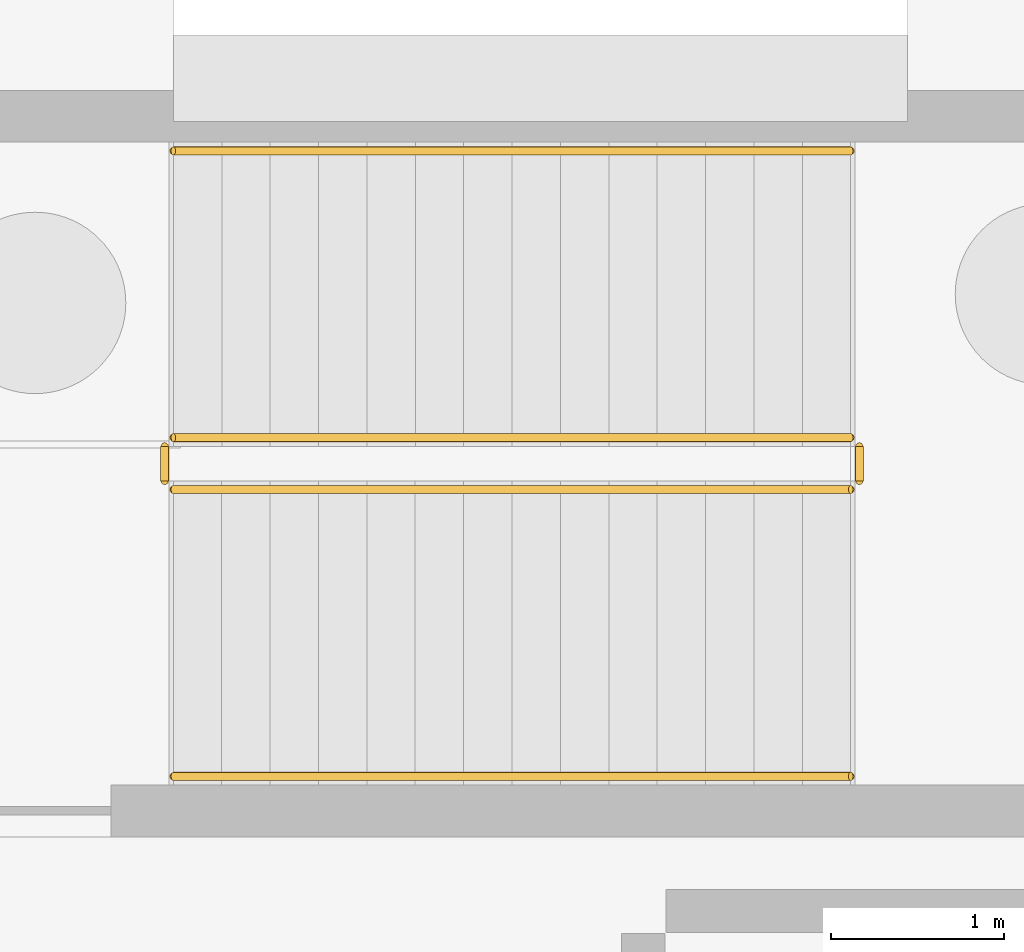
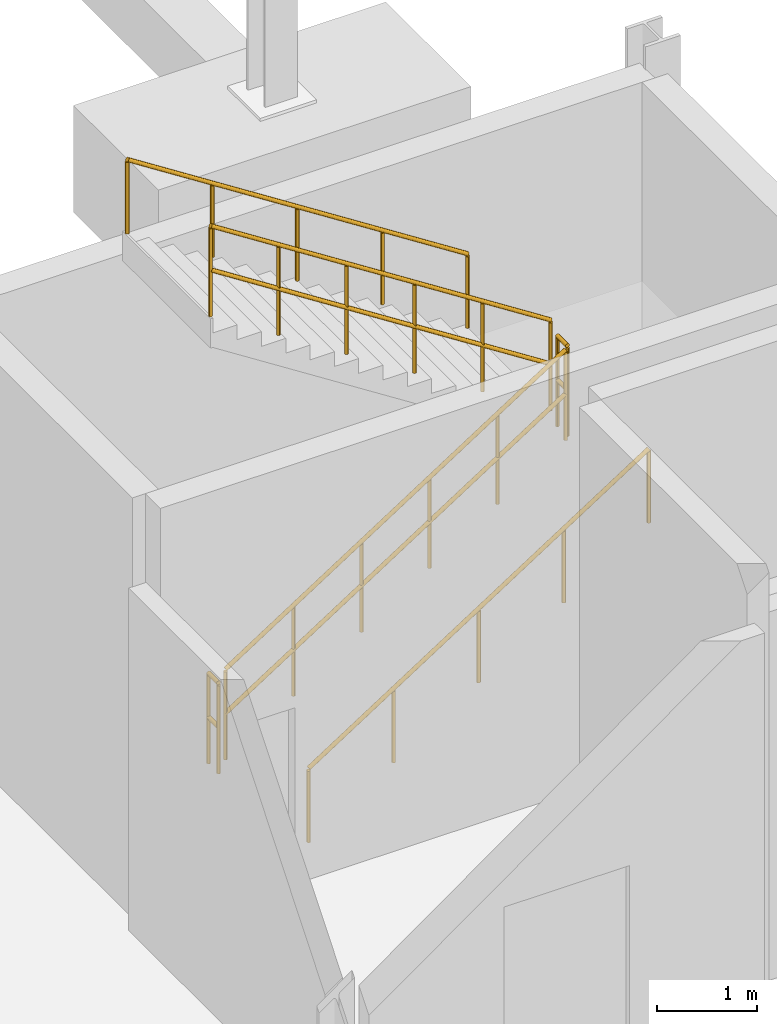
# One storey, part 54 of 61: 6 railings.
"""IFC4 building model written with IfcOpenShell, lengths in metres."""

from ifc_helpers import new_model, si_unit, direction, frame, origin, origin_2d, place, context, subcontext, project, spatial, circle, extrude, material, type_object, element, save


model = new_model("IFC4")

# Units and contexts
model_context = context("Model", 3, precision=1e-05, world=origin(), true_north=direction((0.0, 1.0)))
body_context = subcontext(model_context, "Body", "Model", "MODEL_VIEW")
ifc_project = project(units=[si_unit("LENGTHUNIT", "METRE"), si_unit("AREAUNIT", "SQUARE_METRE"), si_unit("VOLUMEUNIT", "CUBIC_METRE"), si_unit("PLANEANGLEUNIT", "RADIAN"), si_unit("MASSUNIT", "GRAM", prefix="KILO")], contexts=[model_context])

# Site, building, storey
site_placement = place(None, origin())
site = spatial("IfcSite", under=ifc_project, at=site_placement, CompositionType="ELEMENT")
building_placement = place(site_placement, origin())
building = spatial("IfcBuilding", under=site, at=building_placement, Name="Calvrana Isthmian Art Gallery", CompositionType="ELEMENT")
storey_placement = place(building_placement, frame((0.0, 0.0, -5.39990234375)))
storey = spatial("IfcBuildingStorey", under=building, at=storey_placement, Name="B1", CompositionType="ELEMENT", Elevation=-5.39990234375)

# Railings
ifc_material = material(Name="Stainless steel 316", Category="steel")
railing_type_1 = type_object("IfcRailingType", Name="RL-GUARD-1120", PredefinedType="BALUSTRADE", material=ifc_material)
railing_1_placement = place(storey_placement, frame((65.699951171875, 44.419921875, 0.179931640625)))
element("IfcRailing", 1, at=railing_1_placement, inside=storey, type_object=railing_type_1, Name="Stair ST-2 guard B1-1", PredefinedType="BALUSTRADE", context=body_context, shape_type="SweptSolid", body=[
    extrude(circle(Radius=0.02392578125, at=origin_2d()), frame((0.0, 0.0, 1.09619140625), z_axis=(0.841186985886, 0.0, 0.540744352514), x_axis=(0.0, 1.0, 0.0)), (0.0, 0.0, 1.0), 4.660400390625),
    extrude(circle(Radius=0.02392578125, at=origin_2d()), frame((0.0, 0.0, 0.56005859375), z_axis=(0.841186985886, 0.0, 0.540744352514), x_axis=(0.0, 1.0, 0.0)), (0.0, 0.0, 1.0), 4.660400390625),
    extrude(circle(Radius=0.02099609375, at=origin_2d()), origin(), (0.0, 0.0, 1.0), 1.072021484375),
    extrude(circle(Radius=0.02099609375, at=origin_2d()), frame((0.783935546875, 0.0, 0.50390625)), (0.0, 0.0, 1.0), 1.072021484375),
    extrude(circle(Radius=0.02099609375, at=origin_2d()), frame((1.568115234375, 0.0, 1.008056640625)), (0.0, 0.0, 1.0), 1.072021484375),
    extrude(circle(Radius=0.02099609375, at=origin_2d()), frame((2.35205078125, 0.0, 1.511962890625)), (0.0, 0.0, 1.0), 1.072021484375),
    extrude(circle(Radius=0.02099609375, at=origin_2d()), frame((3.13623046875, 0.0, 2.01611328125)), (0.0, 0.0, 1.0), 1.072021484375),
    extrude(circle(Radius=0.02099609375, at=origin_2d()), frame((3.920166015625, 0.0, 2.52001953125)), (0.0, 0.0, 1.0), 1.072021484375),
])
railing_2_placement = place(storey_placement, frame((69.669921875, 44.469970703125, 2.699951171875)))
element("IfcRailing", 2, at=railing_2_placement, inside=storey, type_object=railing_type_1, Name="Stair ST-2 guard B1-2", PredefinedType="BALUSTRADE", context=body_context, shape_type="SweptSolid", body=[
    extrude(circle(Radius=0.02392578125, at=origin_2d()), frame((0.0, 0.0, 1.09619140625), z_axis=(0.0, 1.0, 0.0), x_axis=(-1.0, 0.0, 0.0)), (0.0, 0.0, 1.0), 0.199951171875),
    extrude(circle(Radius=0.02392578125, at=origin_2d()), frame((0.0, 0.0, 0.56005859375), z_axis=(0.0, 1.0, 0.0), x_axis=(-1.0, 0.0, 0.0)), (0.0, 0.0, 1.0), 0.199951171875),
    extrude(circle(Radius=0.02099609375, at=origin_2d()), origin(), (0.0, 0.0, 1.0), 1.072021484375),
    extrude(circle(Radius=0.02099609375, at=origin_2d()), frame((0.0, 0.199951171875, 0.0)), (0.0, 0.0, 1.0), 1.072021484375),
])
railing_3_placement = place(storey_placement, frame((69.6201171875, 44.719970703125, 2.8798828125)))
element("IfcRailing", 3, at=railing_3_placement, inside=storey, type_object=railing_type_1, Name="Stair ST-2 guard B1-3", PredefinedType="BALUSTRADE", context=body_context, shape_type="SweptSolid", body=[
    extrude(circle(Radius=0.02392578125, at=origin_2d()), frame((0.0, 0.0, 1.09619140625), z_axis=(-0.841186985886, 0.0, 0.540744352514), x_axis=(0.0, -1.0, 0.0)), (0.0, 0.0, 1.0), 4.660400390625),
    extrude(circle(Radius=0.02392578125, at=origin_2d()), frame((0.0, 0.0, 0.56005859375), z_axis=(-0.841186985886, 0.0, 0.540744352514), x_axis=(0.0, -1.0, 0.0)), (0.0, 0.0, 1.0), 4.660400390625),
    extrude(circle(Radius=0.02099609375, at=origin_2d()), origin(), (0.0, 0.0, 1.0), 1.072021484375),
    extrude(circle(Radius=0.02099609375, at=origin_2d()), frame((-0.783935546875, 0.0, 0.50390625)), (0.0, 0.0, 1.0), 1.072021484375),
    extrude(circle(Radius=0.02099609375, at=origin_2d()), frame((-1.568115234375, 0.0, 1.008056640625)), (0.0, 0.0, 1.0), 1.072021484375),
    extrude(circle(Radius=0.02099609375, at=origin_2d()), frame((-2.35205078125, 0.0, 1.511962890625)), (0.0, 0.0, 1.0), 1.072021484375),
    extrude(circle(Radius=0.02099609375, at=origin_2d()), frame((-3.13623046875, 0.0, 2.01611328125)), (0.0, 0.0, 1.0), 1.072021484375),
    extrude(circle(Radius=0.02099609375, at=origin_2d()), frame((-3.920166015625, 0.0, 2.52001953125)), (0.0, 0.0, 1.0), 1.072021484375),
])
railing_4_placement = place(storey_placement, frame((65.64990234375, 44.469970703125, 0.0)))
element("IfcRailing", 4, at=railing_4_placement, inside=storey, type_object=railing_type_1, Name="Stair ST-2 guard B1-4", PredefinedType="BALUSTRADE", context=body_context, shape_type="SweptSolid", body=[
    extrude(circle(Radius=0.02392578125, at=origin_2d()), frame((0.0, 0.0, 1.09619140625), z_axis=(0.0, 1.0, 0.0), x_axis=(-1.0, 0.0, 0.0)), (0.0, 0.0, 1.0), 0.199951171875),
    extrude(circle(Radius=0.02392578125, at=origin_2d()), frame((0.0, 0.0, 0.56005859375), z_axis=(0.0, 1.0, 0.0), x_axis=(-1.0, 0.0, 0.0)), (0.0, 0.0, 1.0), 0.199951171875),
    extrude(circle(Radius=0.02099609375, at=origin_2d()), origin(), (0.0, 0.0, 1.0), 1.072021484375),
    extrude(circle(Radius=0.02099609375, at=origin_2d()), frame((0.0, 0.199951171875, 0.0)), (0.0, 0.0, 1.0), 1.072021484375),
])
railing_type_2 = type_object("IfcRailingType", Name="RL-HAND-920", PredefinedType="HANDRAIL", material=ifc_material)
railing_5_placement = place(storey_placement, frame((65.699951171875, 42.760009765625, 0.179931640625)))
element("IfcRailing", 5, at=railing_5_placement, inside=storey, type_object=railing_type_2, Name="Stair ST-2 handrail B1-1", PredefinedType="HANDRAIL", context=body_context, shape_type="SweptSolid", body=[
    extrude(circle(Radius=0.02392578125, at=origin_2d()), frame((0.0, 0.0, 0.89599609375), z_axis=(0.841186985886, 0.0, 0.540744352514), x_axis=(0.0, 1.0, 0.0)), (0.0, 0.0, 1.0), 4.660400390625),
    extrude(circle(Radius=0.02099609375, at=origin_2d()), origin(), (0.0, 0.0, 1.0), 0.871826171875),
    extrude(circle(Radius=0.02099609375, at=origin_2d()), frame((0.97998046875, 0.0, 0.6298828125)), (0.0, 0.0, 1.0), 0.871826171875),
    extrude(circle(Radius=0.02099609375, at=origin_2d()), frame((1.9599609375, 0.0, 1.260009765625)), (0.0, 0.0, 1.0), 0.871826171875),
    extrude(circle(Radius=0.02099609375, at=origin_2d()), frame((2.940185546875, 0.0, 1.89013671875)), (0.0, 0.0, 1.0), 0.871826171875),
    extrude(circle(Radius=0.02099609375, at=origin_2d()), frame((3.920166015625, 0.0, 2.52001953125)), (0.0, 0.0, 1.0), 0.871826171875),
])
railing_6_placement = place(storey_placement, frame((69.6201171875, 46.3798828125, 2.8798828125)))
element("IfcRailing", 6, at=railing_6_placement, inside=storey, type_object=railing_type_2, Name="Stair ST-2 handrail B1-2", PredefinedType="HANDRAIL", context=body_context, shape_type="SweptSolid", body=[
    extrude(circle(Radius=0.02392578125, at=origin_2d()), frame((0.0, 0.0, 0.89599609375), z_axis=(-0.841186985886, 0.0, 0.540744352514), x_axis=(0.0, -1.0, 0.0)), (0.0, 0.0, 1.0), 4.660400390625),
    extrude(circle(Radius=0.02099609375, at=origin_2d()), origin(), (0.0, 0.0, 1.0), 0.871826171875),
    extrude(circle(Radius=0.02099609375, at=origin_2d()), frame((-0.97998046875, 0.0, 0.6298828125)), (0.0, 0.0, 1.0), 0.871826171875),
    extrude(circle(Radius=0.02099609375, at=origin_2d()), frame((-1.9599609375, 0.0, 1.260009765625)), (0.0, 0.0, 1.0), 0.871826171875),
    extrude(circle(Radius=0.02099609375, at=origin_2d()), frame((-2.940185546875, 0.0, 1.89013671875)), (0.0, 0.0, 1.0), 0.871826171875),
    extrude(circle(Radius=0.02099609375, at=origin_2d()), frame((-3.920166015625, 0.0, 2.52001953125)), (0.0, 0.0, 1.0), 0.871826171875),
])

save(model, "model.ifc")
